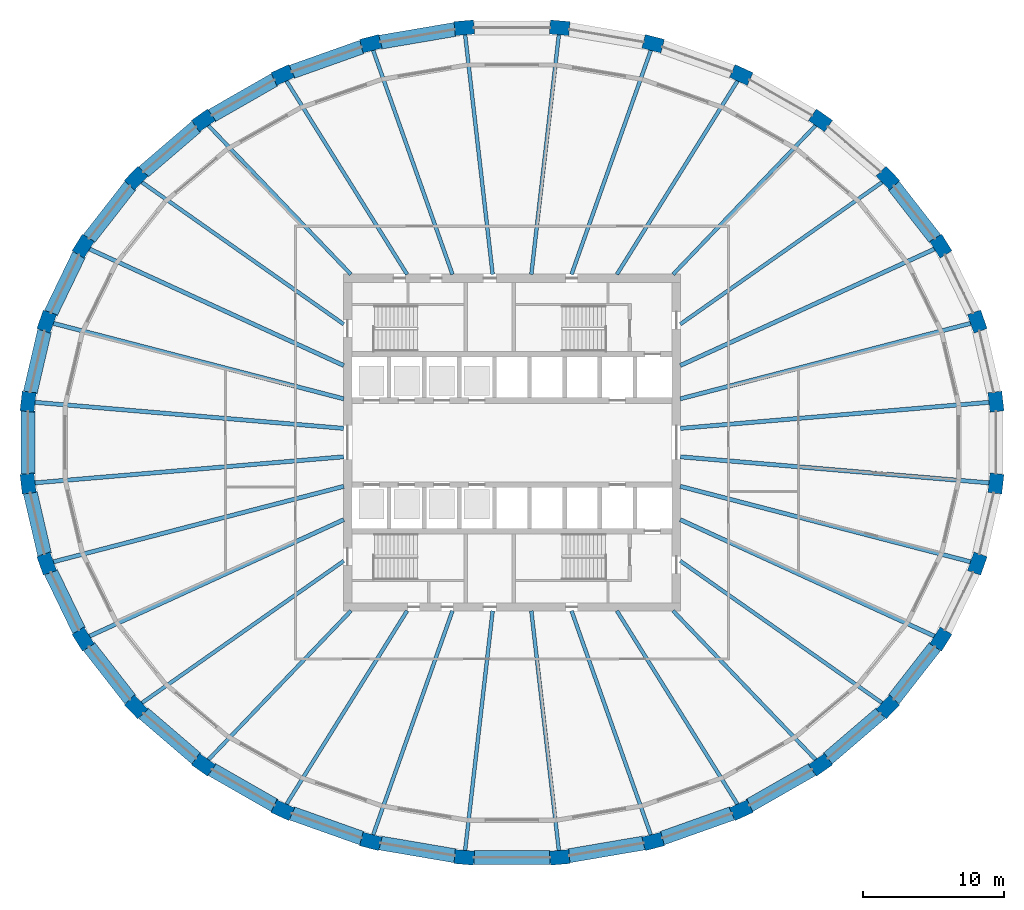
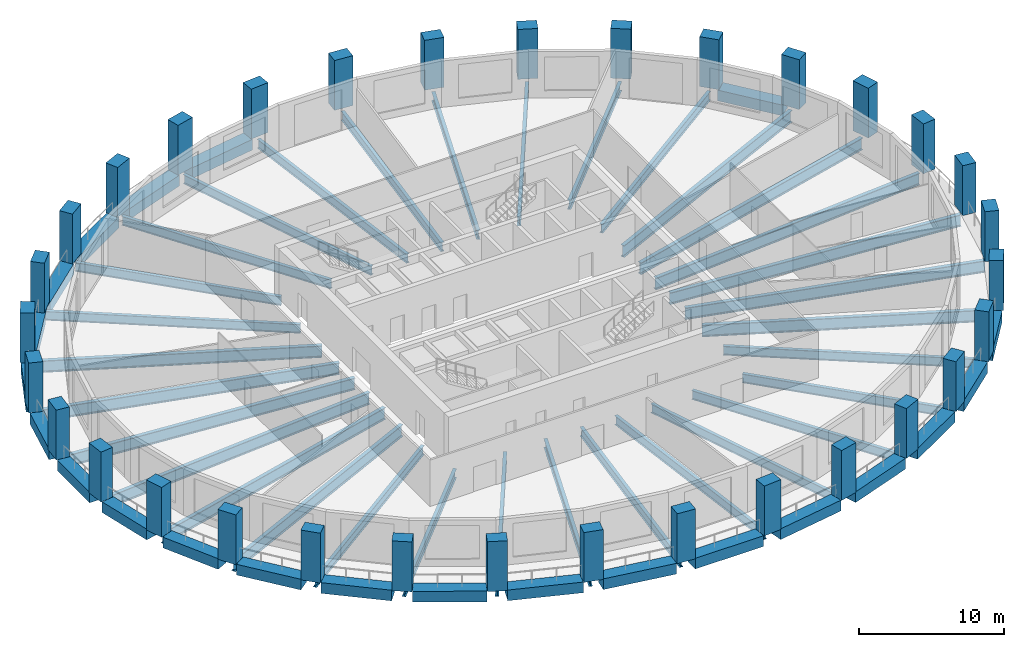
# One storey, part 1 of 10: 54 beams, 32 columns.
"""IFC4 building model written with IfcOpenShell, lengths in metres."""

import ifcopenshell
import ifcopenshell.guid

model = None  # the IFC model being written
_history = None  # IfcOwnerHistory: only IFC2X3 demands one
_inside = {}  # id of a spatial element -> (the spatial element, [elements in it])
_under = {}  # id of a project, library or spatial element -> (it, [spatial elements below it])
_declared = {}  # id of a project -> (the project, [libraries it declares])
_typed = {}  # id of a type object -> (the type object, [elements of that type])
_made_of = {}  # id of a material, layer set ... -> (it, [elements and type objects made of it])


def new_model(schema):
    """Start an empty IFC model of exactly this schema.

    Asked for "IFC4X3", IfcOpenShell would pick the latest addendum, in which some entities
    have other attributes; the version numbers below select the first issue.
    IFC2X3 requires an IfcOwnerHistory on every rooted entity: one is made here for all.
    """
    global model, _history
    if schema == "IFC4X3":
        model = ifcopenshell.file(schema_version=(4, 3, 0, 0))
    else:
        model = ifcopenshell.file(schema=schema)
    _inside.clear()
    _under.clear()
    _declared.clear()
    _typed.clear()
    _made_of.clear()
    _history = None
    if model.schema == "IFC2X3":
        org = make("IfcOrganization", Name="unknown")
        user = make(
            "IfcPersonAndOrganization",
            ThePerson=make("IfcPerson", FamilyName="unknown"),
            TheOrganization=org,
        )
        app = make(
            "IfcApplication",
            ApplicationDeveloper=org,
            Version="unknown",
            ApplicationFullName="unknown",
            ApplicationIdentifier="unknown",
        )
        _history = make(
            "IfcOwnerHistory",
            OwningUser=user,
            OwningApplication=app,
            ChangeAction="ADDED",
            CreationDate=0,
        )
    return model


def make(cls, **values):
    """One entity of the class cls with the attributes given. An attribute that is None is left unset."""
    return model.create_entity(
        cls, **{name: value for name, value in values.items() if value is not None}
    )


def rooted(cls, **values):
    """An entity with a GlobalId (a new one), such as an element, a storey or a relation."""
    return make(cls, GlobalId=ifcopenshell.guid.new(), OwnerHistory=_history, **values)


def si_unit(unit_type, name, prefix=None):
    """IfcSIUnit, for example si_unit("LENGTHUNIT", "METRE", prefix="MILLI")."""
    return make("IfcSIUnit", UnitType=unit_type, Prefix=prefix, Name=name)


def assignment(units):
    """IfcUnitAssignment: the units of a project."""
    return None if units is None else make("IfcUnitAssignment", Units=units)


def point(xyz):
    """IfcCartesianPoint."""
    return None if xyz is None else make("IfcCartesianPoint", Coordinates=xyz)


def direction(xyz):
    """IfcDirection."""
    return None if xyz is None else make("IfcDirection", DirectionRatios=xyz)


def frame(location, z_axis=None, x_axis=None):
    """IfcAxis2Placement3D, a coordinate frame: its origin and axes. An axis left out is left unset."""
    return make(
        "IfcAxis2Placement3D",
        Location=point(location),
        Axis=direction(z_axis),
        RefDirection=direction(x_axis),
    )


def frame_2d(location, x_axis=None):
    """IfcAxis2Placement2D, a coordinate frame in the plane: its origin and x axis."""
    return make(
        "IfcAxis2Placement2D", Location=point(location), RefDirection=direction(x_axis)
    )


def origin():
    """The frame at (0, 0, 0) with its axes left unset."""
    return frame((0.0, 0.0, 0.0))


def origin_2d():
    """The frame at (0, 0) in the plane with its x axis left unset."""
    return frame_2d((0.0, 0.0))


def place(relative_to, where):
    """IfcLocalPlacement: puts the frame where relative to a parent placement (None: the world)."""
    return make(
        "IfcLocalPlacement", PlacementRelTo=relative_to, RelativePlacement=where
    )


def context(
    kind, dimensions, precision=None, world=None, true_north=None, identifier=None
):
    """IfcGeometricRepresentationContext, for example the 3D "Model" context."""
    return make(
        "IfcGeometricRepresentationContext",
        ContextIdentifier=identifier,
        ContextType=kind,
        CoordinateSpaceDimension=dimensions,
        Precision=precision,
        WorldCoordinateSystem=world,
        TrueNorth=true_north,
    )


def subcontext(parent, identifier, kind, view, scale=None):
    """IfcGeometricRepresentationSubContext, for example "Body" below "Model"."""
    return make(
        "IfcGeometricRepresentationSubContext",
        ContextIdentifier=identifier,
        ContextType=kind,
        ParentContext=parent,
        TargetScale=scale,
        TargetView=view,
    )


def project(units=None, contexts=None):
    """IfcProject with its units and contexts."""
    return rooted(
        "IfcProject",
        Name="project",
        RepresentationContexts=contexts,
        UnitsInContext=assignment(units),
    )


def spatial(cls, under=None, at=None, **own):
    """A site, building, storey or space (cls), placed at a placement, below another one or the project."""
    s = rooted(cls, ObjectPlacement=at, **own)
    if under is not None:
        _under.setdefault(under.id(), (under, []))[1].append(s)
    return s


def profile(cls, at=None, kind="AREA", **sizes):
    """A parametric profile (cls). Its sizes go by their IFC names, for example OverallWidth=200.0."""
    return make(cls, ProfileType=kind, Position=at, **sizes)


def rectangle(**sizes):
    """IfcRectangleProfileDef."""
    return profile("IfcRectangleProfileDef", **sizes)


def i_section(**sizes):
    """IfcIShapeProfileDef."""
    return profile("IfcIShapeProfileDef", **sizes)


def extrude(swept, where, along, depth):
    """IfcExtrudedAreaSolid: the profile swept, set in the frame where, extruded along a direction by depth."""
    return make(
        "IfcExtrudedAreaSolid",
        SweptArea=swept,
        Position=where,
        ExtrudedDirection=direction(along),
        Depth=depth,
    )


def shape(context_of_items, identifier, shape_type, items):
    """IfcShapeRepresentation: the items that make up one representation, for example the "Body"."""
    return make(
        "IfcShapeRepresentation",
        ContextOfItems=context_of_items,
        RepresentationIdentifier=identifier,
        RepresentationType=shape_type,
        Items=items,
    )


def material(Name=None, Category=None):
    """IfcMaterial."""
    return make("IfcMaterial", Name=Name, Category=Category)


def material_profile(
    of_material, cross_section, Name=None, Category=None, Priority=None
):
    """IfcMaterialProfile: a cross section and its material."""
    return make(
        "IfcMaterialProfile",
        Name=Name,
        Material=of_material,
        Profile=cross_section,
        Priority=Priority,
        Category=Category,
    )


def profile_set(profiles, Name=None, composite=None):
    """IfcMaterialProfileSet."""
    return make(
        "IfcMaterialProfileSet",
        Name=Name,
        MaterialProfiles=profiles,
        CompositeProfile=composite,
    )


def made_of(thing, what):
    """Note that an element or type object is made of a material, layer set ...; save() writes the relation."""
    if what is not None:
        _made_of.setdefault(what.id(), (what, []))[1].append(thing)
    return thing


def type_object(cls, material=None, **own):
    """A type object (cls), such as IfcWallType, which elements share."""
    return made_of(rooted(cls, **own), material)


def element(
    cls,
    number,
    at=None,
    inside=None,
    cuts=None,
    type_object=None,
    material=None,
    context=None,
    identifier="Body",
    shape_type=None,
    held_by="IfcProductDefinitionShape",
    body=None,
    shapes=None,
    **own,
):
    """One element of the class cls, such as IfcWall. Its Tag is "e" and its number.

    at: its placement. inside: the storey or other place that contains it. cuts: it is an
    opening in that element (IfcRelVoidsElement). A single representation is given by context,
    identifier, shape_type and body (its items); several are given by shapes. held_by: the class
    of the entity that holds the representations. save() writes the other relations.
    """
    e = rooted(cls, Tag="e%d" % number, ObjectPlacement=at, **own)
    if body is not None:
        shapes = [shape(context, identifier, shape_type, body)]
    if shapes is not None:
        e.Representation = make(held_by, Representations=shapes)
    if inside is not None:
        _inside.setdefault(inside.id(), (inside, []))[1].append(e)
    if cuts is not None:
        rooted(
            "IfcRelVoidsElement", RelatingBuildingElement=cuts, RelatedOpeningElement=e
        )
    if type_object is not None:
        _typed.setdefault(type_object.id(), (type_object, []))[1].append(e)
    return made_of(e, material)


def aggregate(whole, parts):
    """IfcRelAggregates: a whole, such as a stair, and the parts it consists of."""
    return rooted("IfcRelAggregates", RelatingObject=whole, RelatedObjects=parts)


def save(model, path):
    """Write the relations noted so far, then the file.

    IfcRelAggregates (storeys below a building ...), IfcRelContainedInSpatialStructure (elements
    in a storey), IfcRelDefinesByType, IfcRelAssociatesMaterial and IfcRelDeclares: one each for
    every whole, place, type object, material and project.
    """
    for whole, parts in _under.values():
        aggregate(whole, parts)
    for where, things in _inside.values():
        rooted(
            "IfcRelContainedInSpatialStructure",
            RelatedElements=things,
            RelatingStructure=where,
        )
    for kind, things in _typed.values():
        rooted("IfcRelDefinesByType", RelatedObjects=things, RelatingType=kind)
    for what, things in _made_of.values():
        rooted("IfcRelAssociatesMaterial", RelatedObjects=things, RelatingMaterial=what)
    for by, libraries in _declared.values():
        rooted("IfcRelDeclares", RelatingContext=by, RelatedDefinitions=libraries)
    model.write(path)


model = new_model("IFC4")

# Units and contexts
model_context = context("Model", 3, precision=1e-05, world=origin(), true_north=direction((0.0, 1.0)))
body_context = subcontext(model_context, "Body", "Model", "MODEL_VIEW")
ifc_project = project(units=[si_unit("LENGTHUNIT", "METRE"), si_unit("AREAUNIT", "SQUARE_METRE"), si_unit("VOLUMEUNIT", "CUBIC_METRE"), si_unit("PLANEANGLEUNIT", "RADIAN"), si_unit("MASSUNIT", "GRAM", prefix="KILO")], contexts=[model_context])

# Site, building, storey
site_placement = place(None, origin())
site = spatial("IfcSite", under=ifc_project, at=site_placement, CompositionType="ELEMENT")
building_placement = place(site_placement, origin())
building = spatial("IfcBuilding", under=site, at=building_placement, Name="Halqa Exchange Tower", CompositionType="ELEMENT")
storey_placement = place(building_placement, frame((0.0, 0.0, 133.89990234375)))
storey = spatial("IfcBuildingStorey", under=building, at=storey_placement, Name="L30", CompositionType="ELEMENT", Elevation=133.89990234375)

# Columns
ifc_material_1 = material(Name="Concrete C70/85", Category="concrete")
ifc_material_profile_1 = material_profile(ifc_material_1, rectangle(XDim=1.39990234375, YDim=1.0, at=origin_2d()), Name="1400 x 1000")
ifc_profile_set_1 = profile_set([ifc_material_profile_1], Name="Concrete C70/85")
column_type = type_object("IfcColumnType", Name="RC ring column 1400 x 1000 C70/85", PredefinedType="COLUMN", material=ifc_profile_set_1)
for number, where, z_axis, x_axis, name in (
    (1, (34.438720703125, 2.907470703125, 0.0), (0.0, 0.0, 1.0), (-0.114158655897, 0.993462531394, 0.0), "Ring column 1"),
    (2, (33.115234375, 8.6103515625, 0.0), (0.0, 0.0, 1.0), (-0.33363575088, 0.942702066262, 0.0), "Ring column 2"),
    (3, (30.51904296875, 13.982421875, 0.0), (0.0, 0.0, 1.0), (-0.529137534311, 0.848536074533, 0.0), "Ring column 3"),
    (4, (26.750244140625, 18.817138671875, 0.0), (0.0, 0.0, 1.0), (-0.691571048649, 0.722308441505, 0.0), "Ring column 4"),
    (5, (21.953369140625, 22.9287109375, 0.0), (0.0, 0.0, 1.0), (-0.817909792189, 0.575346479819, 0.0), "Ring column 5"),
    (6, (16.312744140625, 26.1591796875, 0.0), (0.0, 0.0, 1.0), (-0.909126368869, 0.416520402174, 0.0), "Ring column 6"),
    (7, (10.04541015625, 28.384521484375, 0.0), (0.0, 0.0, 1.0), (-0.967819503571, 0.251645402317, 0.0), "Ring column 7"),
    (8, (3.391845703125, 29.518798828125, 0.0), (0.0, 0.0, 1.0), (-0.996455372165, 0.084123072248, 0.0), "Ring column 8"),
    (9, (-3.391845703125, 29.518798828125, 0.0), (0.0, 0.0, 1.0), (-0.996455372165, -0.084123072248, 0.0), "Ring column 9"),
    (10, (-10.04541015625, 28.384521484375, 0.0), (0.0, 0.0, 1.0), (-0.967819503571, -0.251645402317, 0.0), "Ring column 10"),
    (11, (-16.312744140625, 26.1591796875, 0.0), (0.0, 0.0, 1.0), (-0.909126368869, -0.416520402174, 0.0), "Ring column 11"),
    (12, (-21.953369140625, 22.9287109375, 0.0), (0.0, 0.0, 1.0), (-0.817909792189, -0.575346479819, 0.0), "Ring column 12"),
    (13, (-26.750244140625, 18.817138671875, 0.0), (0.0, 0.0, 1.0), (-0.691571048649, -0.722308441505, 0.0), "Ring column 13"),
    (14, (-30.51904296875, 13.982421875, 0.0), (0.0, 0.0, 1.0), (-0.529137534311, -0.848536074533, 0.0), "Ring column 14"),
    (15, (-33.115234375, 8.6103515625, 0.0), (0.0, 0.0, 1.0), (-0.33363575088, -0.942702066262, 0.0), "Ring column 15"),
    (16, (-34.438720703125, 2.907470703125, 0.0), (0.0, 0.0, 1.0), (-0.114158655897, -0.993462531394, 0.0), "Ring column 16"),
    (17, (-34.438720703125, -2.907470703125, 0.0), (0.0, 0.0, 1.0), (0.114158655897, -0.993462531394, 0.0), "Ring column 17"),
    (18, (-33.115234375, -8.6103515625, 0.0), (0.0, 0.0, 1.0), (0.33363575088, -0.942702066262, 0.0), "Ring column 18"),
    (19, (-30.51904296875, -13.982421875, 0.0), (0.0, 0.0, 1.0), (0.529137534311, -0.848536074533, 0.0), "Ring column 19"),
    (20, (-26.750244140625, -18.817138671875, 0.0), (0.0, 0.0, 1.0), (0.691571048649, -0.722308441505, 0.0), "Ring column 20"),
    (21, (-21.953369140625, -22.9287109375, 0.0), (0.0, 0.0, 1.0), (0.817909792189, -0.575346479819, 0.0), "Ring column 21"),
    (22, (-16.312744140625, -26.1591796875, 0.0), (0.0, 0.0, 1.0), (0.909126368869, -0.416520402174, 0.0), "Ring column 22"),
    (23, (-10.04541015625, -28.384521484375, 0.0), (0.0, 0.0, 1.0), (0.967819503571, -0.251645402317, 0.0), "Ring column 23"),
    (24, (-3.391845703125, -29.518798828125, 0.0), (0.0, 0.0, 1.0), (0.996455372165, -0.084123072248, 0.0), "Ring column 24"),
    (25, (3.391845703125, -29.518798828125, 0.0), (0.0, 0.0, 1.0), (0.996455372165, 0.084123072248, 0.0), "Ring column 25"),
    (26, (10.04541015625, -28.384521484375, 0.0), (0.0, 0.0, 1.0), (0.967819503571, 0.251645402317, 0.0), "Ring column 26"),
    (27, (16.312744140625, -26.1591796875, 0.0), (0.0, 0.0, 1.0), (0.909126368869, 0.416520402174, 0.0), "Ring column 27"),
    (28, (21.953369140625, -22.9287109375, 0.0), (0.0, 0.0, 1.0), (0.817909792189, 0.575346479819, 0.0), "Ring column 28"),
    (29, (26.750244140625, -18.817138671875, 0.0), (0.0, 0.0, 1.0), (0.691571048649, 0.722308441505, 0.0), "Ring column 29"),
    (30, (30.51904296875, -13.982421875, 0.0), (0.0, 0.0, 1.0), (0.529137534311, 0.848536074533, 0.0), "Ring column 30"),
    (31, (33.115234375, -8.6103515625, 0.0), (0.0, 0.0, 1.0), (0.33363575088, 0.942702066262, 0.0), "Ring column 31"),
    (32, (34.438720703125, -2.907470703125, 0.0), (0.0, 0.0, 1.0), (0.114158655897, 0.993462531394, 0.0), "Ring column 32"),
):
    element("IfcColumn", number, at=place(storey_placement, frame(where, z_axis=z_axis, x_axis=x_axis)), inside=storey, type_object=column_type, Name=name, PredefinedType="COLUMN", context=body_context, shape_type="SweptSolid", body=[
        extrude(rectangle(XDim=1.39990234375, YDim=1.0, at=origin_2d()), origin(), (0.0, 0.0, 1.0), 4.2001953125),
    ])

# Beams
ifc_material_2 = material(Name="Steel S355", Category="steel")
ifc_material_profile_2 = material_profile(ifc_material_2, i_section(OverallWidth=0.300048828125, OverallDepth=0.989990234375, WebThickness=0.0166015625, FlangeThickness=0.031005859375, FilletRadius=0.030029296875, at=origin_2d()), Name="HEA 1000")
ifc_profile_set_2 = profile_set([ifc_material_profile_2], Name="Steel S355")
beam_type_1 = type_object("IfcBeamType", Name="Floor beam HEA 1000", PredefinedType="BEAM", material=ifc_profile_set_2)
beam_1_placement = place(storey_placement, frame((11.972412109375, 1.0107421875, -0.794921875), z_axis=(0.996454963728, 0.084127910124, 0.0), x_axis=(-0.084127910124, 0.996454963728, 0.0)))
element("IfcBeam", 33, at=beam_1_placement, inside=storey, type_object=beam_type_1, Name="Radial beam 1", PredefinedType="BEAM", context=body_context, shape_type="SweptSolid", body=[
    extrude(i_section(OverallWidth=0.300048828125, OverallDepth=0.989990234375, WebThickness=0.0166015625, FlangeThickness=0.031005859375, FilletRadius=0.030029296875, at=origin_2d()), origin(), (0.0, 0.0, 1.0), 22.17431640625),
])
beam_2_placement = place(storey_placement, frame((11.97119140625, 3.112548828125, -0.794921875), z_axis=(0.967819682417, 0.251644714483, 0.0), x_axis=(-0.251644714483, 0.967819682417, 0.0)))
element("IfcBeam", 34, at=beam_2_placement, inside=storey, type_object=beam_type_1, Name="Radial beam 2", PredefinedType="BEAM", context=body_context, shape_type="SweptSolid", body=[
    extrude(i_section(OverallWidth=0.300048828125, OverallDepth=0.989990234375, WebThickness=0.0166015625, FlangeThickness=0.031005859375, FilletRadius=0.030029296875, at=origin_2d()), origin(), (0.0, 0.0, 1.0), 21.472900390625),
])
for number, where, z_axis, x_axis, name in (
    (35, (11.972412109375, 5.485107421875, -0.794921875), (0.909127347391, 0.416518266377, 0.0), (-0.416518266377, 0.909127347391, 0.0), "Radial beam 3"),
    (36, (-11.972412109375, 5.485107421875, -0.794921875), (-0.909127347391, 0.416518266377, 0.0), (-0.416518266377, -0.909127347391, 0.0), "Radial beam 14"),
):
    element("IfcBeam", number, at=place(storey_placement, frame(where, z_axis=z_axis, x_axis=x_axis)), inside=storey, type_object=beam_type_1, Name=name, PredefinedType="BEAM", context=body_context, shape_type="SweptSolid", body=[
        extrude(i_section(OverallWidth=0.300048828125, OverallDepth=0.989990234375, WebThickness=0.0166015625, FlangeThickness=0.031005859375, FilletRadius=0.030029296875, at=origin_2d()), origin(), (0.0, 0.0, 1.0), 20.0244140625),
    ])
beam_3_placement = place(storey_placement, frame((-11.97119140625, 3.112548828125, -0.794921875), z_axis=(-0.967819682417, 0.251644714483, 0.0), x_axis=(-0.251644714483, -0.967819682417, 0.0)))
element("IfcBeam", 37, at=beam_3_placement, inside=storey, type_object=beam_type_1, Name="Radial beam 15", PredefinedType="BEAM", context=body_context, shape_type="SweptSolid", body=[
    extrude(i_section(OverallWidth=0.300048828125, OverallDepth=0.989990234375, WebThickness=0.0166015625, FlangeThickness=0.031005859375, FilletRadius=0.030029296875, at=origin_2d()), origin(), (0.0, 0.0, 1.0), 21.472900390625),
])
for number, where, z_axis, x_axis, name in (
    (38, (-11.972412109375, 1.0107421875, -0.794921875), (-0.996454963728, 0.084127910124, 0.0), (-0.084127910124, -0.996454963728, 0.0), "Radial beam 16"),
    (39, (-11.972412109375, -1.0107421875, -0.794921875), (-0.996454963728, -0.084127910124, 0.0), (0.084127910124, -0.996454963728, 0.0), "Radial beam 17"),
):
    element("IfcBeam", number, at=place(storey_placement, frame(where, z_axis=z_axis, x_axis=x_axis)), inside=storey, type_object=beam_type_1, Name=name, PredefinedType="BEAM", context=body_context, shape_type="SweptSolid", body=[
        extrude(i_section(OverallWidth=0.300048828125, OverallDepth=0.989990234375, WebThickness=0.0166015625, FlangeThickness=0.031005859375, FilletRadius=0.030029296875, at=origin_2d()), origin(), (0.0, 0.0, 1.0), 22.17431640625),
    ])
beam_4_placement = place(storey_placement, frame((-11.97119140625, -3.112548828125, -0.794921875), z_axis=(-0.967819682417, -0.251644714483, 0.0), x_axis=(0.251644714483, -0.967819682417, 0.0)))
element("IfcBeam", 40, at=beam_4_placement, inside=storey, type_object=beam_type_1, Name="Radial beam 18", PredefinedType="BEAM", context=body_context, shape_type="SweptSolid", body=[
    extrude(i_section(OverallWidth=0.300048828125, OverallDepth=0.989990234375, WebThickness=0.0166015625, FlangeThickness=0.031005859375, FilletRadius=0.030029296875, at=origin_2d()), origin(), (0.0, 0.0, 1.0), 21.472900390625),
])
for number, where, z_axis, x_axis, name in (
    (41, (-11.972412109375, -5.485107421875, -0.794921875), (-0.909127347391, -0.416518266377, 0.0), (0.416518266377, -0.909127347391, 0.0), "Radial beam 19"),
    (42, (11.972412109375, -5.485107421875, -0.794921875), (0.909127347391, -0.416518266377, 0.0), (0.416518266377, 0.909127347391, 0.0), "Radial beam 30"),
):
    element("IfcBeam", number, at=place(storey_placement, frame(where, z_axis=z_axis, x_axis=x_axis)), inside=storey, type_object=beam_type_1, Name=name, PredefinedType="BEAM", context=body_context, shape_type="SweptSolid", body=[
        extrude(i_section(OverallWidth=0.300048828125, OverallDepth=0.989990234375, WebThickness=0.0166015625, FlangeThickness=0.031005859375, FilletRadius=0.030029296875, at=origin_2d()), origin(), (0.0, 0.0, 1.0), 20.0244140625),
    ])
beam_5_placement = place(storey_placement, frame((11.97119140625, -3.112548828125, -0.794921875), z_axis=(0.967819682417, -0.251644714483, 0.0), x_axis=(0.251644714483, 0.967819682417, 0.0)))
element("IfcBeam", 43, at=beam_5_placement, inside=storey, type_object=beam_type_1, Name="Radial beam 31", PredefinedType="BEAM", context=body_context, shape_type="SweptSolid", body=[
    extrude(i_section(OverallWidth=0.300048828125, OverallDepth=0.989990234375, WebThickness=0.0166015625, FlangeThickness=0.031005859375, FilletRadius=0.030029296875, at=origin_2d()), origin(), (0.0, 0.0, 1.0), 21.472900390625),
])
beam_6_placement = place(storey_placement, frame((11.972412109375, -1.0107421875, -0.794921875), z_axis=(0.996454963728, -0.084127910124, 0.0), x_axis=(0.084127910124, 0.996454963728, 0.0)))
element("IfcBeam", 44, at=beam_6_placement, inside=storey, type_object=beam_type_1, Name="Radial beam 32", PredefinedType="BEAM", context=body_context, shape_type="SweptSolid", body=[
    extrude(i_section(OverallWidth=0.300048828125, OverallDepth=0.989990234375, WebThickness=0.0166015625, FlangeThickness=0.031005859375, FilletRadius=0.030029296875, at=origin_2d()), origin(), (0.0, 0.0, 1.0), 22.17431640625),
])
ifc_material_profile_3 = material_profile(ifc_material_2, i_section(OverallWidth=0.264892578125, OverallDepth=0.7529296875, WebThickness=0.01318359375, FlangeThickness=0.01708984375, FilletRadius=0.01708984375, at=origin_2d()), Name="IPE 750x147")
ifc_profile_set_3 = profile_set([ifc_material_profile_3], Name="Steel S355")
beam_type_2 = type_object("IfcBeamType", Name="Floor beam IPE 750x147", PredefinedType="BEAM", material=ifc_profile_set_3)
beam_7_placement = place(storey_placement, frame((11.97216796875, 8.421630859375, -0.676513671875), z_axis=(0.817909837256, 0.575346415753, 0.0), x_axis=(-0.575346415753, 0.817909837256, 0.0)))
element("IfcBeam", 45, at=beam_7_placement, inside=storey, type_object=beam_type_2, Name="Radial beam 4", PredefinedType="BEAM", context=body_context, shape_type="SweptSolid", body=[
    extrude(i_section(OverallWidth=0.264892578125, OverallDepth=0.7529296875, WebThickness=0.01318359375, FlangeThickness=0.01708984375, FilletRadius=0.01708984375, at=origin_2d()), origin(), (0.0, 0.0, 1.0), 17.6923828125),
])
beam_8_placement = place(storey_placement, frame((11.462890625, 11.97216796875, -0.676513671875), z_axis=(0.691574796758, 0.722304852876, 0.0), x_axis=(-0.722304852876, 0.691574796758, 0.0)))
element("IfcBeam", 46, at=beam_8_placement, inside=storey, type_object=beam_type_2, Name="Radial beam 5", PredefinedType="BEAM", context=body_context, shape_type="SweptSolid", body=[
    extrude(i_section(OverallWidth=0.264892578125, OverallDepth=0.7529296875, WebThickness=0.01318359375, FlangeThickness=0.01708984375, FilletRadius=0.01708984375, at=origin_2d()), origin(), (0.0, 0.0, 1.0), 14.79296875),
])
beam_9_placement = place(storey_placement, frame((7.4658203125, 11.972412109375, -0.676513671875), z_axis=(0.529140645794, 0.848534134239, 0.0), x_axis=(-0.848534134239, 0.529140645794, 0.0)))
element("IfcBeam", 47, at=beam_9_placement, inside=storey, type_object=beam_type_2, Name="Radial beam 6", PredefinedType="BEAM", context=body_context, shape_type="SweptSolid", body=[
    extrude(i_section(OverallWidth=0.264892578125, OverallDepth=0.7529296875, WebThickness=0.01318359375, FlangeThickness=0.01708984375, FilletRadius=0.01708984375, at=origin_2d()), origin(), (0.0, 0.0, 1.0), 16.343505859375),
])
beam_10_placement = place(storey_placement, frame((4.23681640625, 11.9716796875, -0.676513671875), z_axis=(0.333628809797, 0.942704522782, 0.0), x_axis=(-0.942704522782, 0.333628809797, 0.0)))
element("IfcBeam", 48, at=beam_10_placement, inside=storey, type_object=beam_type_2, Name="Radial beam 7", PredefinedType="BEAM", context=body_context, shape_type="SweptSolid", body=[
    extrude(i_section(OverallWidth=0.264892578125, OverallDepth=0.7529296875, WebThickness=0.01318359375, FlangeThickness=0.01708984375, FilletRadius=0.01708984375, at=origin_2d()), origin(), (0.0, 0.0, 1.0), 17.036376953125),
])
for number, where, z_axis, x_axis, name in (
    (49, (1.375732421875, 11.972900390625, -0.676513671875), (0.114151906381, 0.993463306957, 0.0), (-0.993463306957, 0.114151906381, 0.0), "Radial beam 8"),
    (50, (-1.375732421875, 11.972900390625, -0.676513671875), (-0.114151906381, 0.993463306957, 0.0), (-0.993463306957, -0.114151906381, 0.0), "Radial beam 9"),
):
    element("IfcBeam", number, at=place(storey_placement, frame(where, z_axis=z_axis, x_axis=x_axis)), inside=storey, type_object=beam_type_2, Name=name, PredefinedType="BEAM", context=body_context, shape_type="SweptSolid", body=[
        extrude(i_section(OverallWidth=0.264892578125, OverallDepth=0.7529296875, WebThickness=0.01318359375, FlangeThickness=0.01708984375, FilletRadius=0.01708984375, at=origin_2d()), origin(), (0.0, 0.0, 1.0), 17.28955078125),
    ])
beam_11_placement = place(storey_placement, frame((-4.23681640625, 11.9716796875, -0.676513671875), z_axis=(-0.333628809797, 0.942704522782, 0.0), x_axis=(-0.942704522782, -0.333628809797, 0.0)))
element("IfcBeam", 51, at=beam_11_placement, inside=storey, type_object=beam_type_2, Name="Radial beam 10", PredefinedType="BEAM", context=body_context, shape_type="SweptSolid", body=[
    extrude(i_section(OverallWidth=0.264892578125, OverallDepth=0.7529296875, WebThickness=0.01318359375, FlangeThickness=0.01708984375, FilletRadius=0.01708984375, at=origin_2d()), origin(), (0.0, 0.0, 1.0), 17.036376953125),
])
beam_12_placement = place(storey_placement, frame((-7.4658203125, 11.972412109375, -0.676513671875), z_axis=(-0.529140645794, 0.848534134239, 0.0), x_axis=(-0.848534134239, -0.529140645794, 0.0)))
element("IfcBeam", 52, at=beam_12_placement, inside=storey, type_object=beam_type_2, Name="Radial beam 11", PredefinedType="BEAM", context=body_context, shape_type="SweptSolid", body=[
    extrude(i_section(OverallWidth=0.264892578125, OverallDepth=0.7529296875, WebThickness=0.01318359375, FlangeThickness=0.01708984375, FilletRadius=0.01708984375, at=origin_2d()), origin(), (0.0, 0.0, 1.0), 16.343505859375),
])
beam_13_placement = place(storey_placement, frame((-11.462890625, 11.97216796875, -0.676513671875), z_axis=(-0.691574796758, 0.722304852876, 0.0), x_axis=(-0.722304852876, -0.691574796758, 0.0)))
element("IfcBeam", 53, at=beam_13_placement, inside=storey, type_object=beam_type_2, Name="Radial beam 12", PredefinedType="BEAM", context=body_context, shape_type="SweptSolid", body=[
    extrude(i_section(OverallWidth=0.264892578125, OverallDepth=0.7529296875, WebThickness=0.01318359375, FlangeThickness=0.01708984375, FilletRadius=0.01708984375, at=origin_2d()), origin(), (0.0, 0.0, 1.0), 14.79296875),
])
for number, where, z_axis, x_axis, name in (
    (54, (-11.97216796875, 8.421630859375, -0.676513671875), (-0.817909837256, 0.575346415753, 0.0), (-0.575346415753, -0.817909837256, 0.0), "Radial beam 13"),
    (55, (-11.97216796875, -8.421630859375, -0.676513671875), (-0.817909837256, -0.575346415753, 0.0), (0.575346415753, -0.817909837256, 0.0), "Radial beam 20"),
):
    element("IfcBeam", number, at=place(storey_placement, frame(where, z_axis=z_axis, x_axis=x_axis)), inside=storey, type_object=beam_type_2, Name=name, PredefinedType="BEAM", context=body_context, shape_type="SweptSolid", body=[
        extrude(i_section(OverallWidth=0.264892578125, OverallDepth=0.7529296875, WebThickness=0.01318359375, FlangeThickness=0.01708984375, FilletRadius=0.01708984375, at=origin_2d()), origin(), (0.0, 0.0, 1.0), 17.6923828125),
    ])
beam_14_placement = place(storey_placement, frame((-11.462890625, -11.97216796875, -0.676513671875), z_axis=(-0.691574796758, -0.722304852876, 0.0), x_axis=(0.722304852876, -0.691574796758, 0.0)))
element("IfcBeam", 56, at=beam_14_placement, inside=storey, type_object=beam_type_2, Name="Radial beam 21", PredefinedType="BEAM", context=body_context, shape_type="SweptSolid", body=[
    extrude(i_section(OverallWidth=0.264892578125, OverallDepth=0.7529296875, WebThickness=0.01318359375, FlangeThickness=0.01708984375, FilletRadius=0.01708984375, at=origin_2d()), origin(), (0.0, 0.0, 1.0), 14.79296875),
])
beam_15_placement = place(storey_placement, frame((-7.4658203125, -11.972412109375, -0.676513671875), z_axis=(-0.529140645794, -0.848534134239, 0.0), x_axis=(0.848534134239, -0.529140645794, 0.0)))
element("IfcBeam", 57, at=beam_15_placement, inside=storey, type_object=beam_type_2, Name="Radial beam 22", PredefinedType="BEAM", context=body_context, shape_type="SweptSolid", body=[
    extrude(i_section(OverallWidth=0.264892578125, OverallDepth=0.7529296875, WebThickness=0.01318359375, FlangeThickness=0.01708984375, FilletRadius=0.01708984375, at=origin_2d()), origin(), (0.0, 0.0, 1.0), 16.343505859375),
])
beam_16_placement = place(storey_placement, frame((-4.23681640625, -11.9716796875, -0.676513671875), z_axis=(-0.333628809797, -0.942704522782, 0.0), x_axis=(0.942704522782, -0.333628809797, 0.0)))
element("IfcBeam", 58, at=beam_16_placement, inside=storey, type_object=beam_type_2, Name="Radial beam 23", PredefinedType="BEAM", context=body_context, shape_type="SweptSolid", body=[
    extrude(i_section(OverallWidth=0.264892578125, OverallDepth=0.7529296875, WebThickness=0.01318359375, FlangeThickness=0.01708984375, FilletRadius=0.01708984375, at=origin_2d()), origin(), (0.0, 0.0, 1.0), 17.036376953125),
])
for number, where, z_axis, x_axis, name in (
    (59, (-1.375732421875, -11.972900390625, -0.676513671875), (-0.114151906381, -0.993463306957, 0.0), (0.993463306957, -0.114151906381, 0.0), "Radial beam 24"),
    (60, (1.375732421875, -11.972900390625, -0.676513671875), (0.114151906381, -0.993463306957, 0.0), (0.993463306957, 0.114151906381, 0.0), "Radial beam 25"),
):
    element("IfcBeam", number, at=place(storey_placement, frame(where, z_axis=z_axis, x_axis=x_axis)), inside=storey, type_object=beam_type_2, Name=name, PredefinedType="BEAM", context=body_context, shape_type="SweptSolid", body=[
        extrude(i_section(OverallWidth=0.264892578125, OverallDepth=0.7529296875, WebThickness=0.01318359375, FlangeThickness=0.01708984375, FilletRadius=0.01708984375, at=origin_2d()), origin(), (0.0, 0.0, 1.0), 17.28955078125),
    ])
beam_17_placement = place(storey_placement, frame((4.23681640625, -11.9716796875, -0.676513671875), z_axis=(0.333628809797, -0.942704522782, 0.0), x_axis=(0.942704522782, 0.333628809797, 0.0)))
element("IfcBeam", 61, at=beam_17_placement, inside=storey, type_object=beam_type_2, Name="Radial beam 26", PredefinedType="BEAM", context=body_context, shape_type="SweptSolid", body=[
    extrude(i_section(OverallWidth=0.264892578125, OverallDepth=0.7529296875, WebThickness=0.01318359375, FlangeThickness=0.01708984375, FilletRadius=0.01708984375, at=origin_2d()), origin(), (0.0, 0.0, 1.0), 17.036376953125),
])
beam_18_placement = place(storey_placement, frame((7.4658203125, -11.972412109375, -0.676513671875), z_axis=(0.529140645794, -0.848534134239, 0.0), x_axis=(0.848534134239, 0.529140645794, 0.0)))
element("IfcBeam", 62, at=beam_18_placement, inside=storey, type_object=beam_type_2, Name="Radial beam 27", PredefinedType="BEAM", context=body_context, shape_type="SweptSolid", body=[
    extrude(i_section(OverallWidth=0.264892578125, OverallDepth=0.7529296875, WebThickness=0.01318359375, FlangeThickness=0.01708984375, FilletRadius=0.01708984375, at=origin_2d()), origin(), (0.0, 0.0, 1.0), 16.343505859375),
])
beam_19_placement = place(storey_placement, frame((11.462890625, -11.97216796875, -0.676513671875), z_axis=(0.691574796758, -0.722304852876, 0.0), x_axis=(0.722304852876, 0.691574796758, 0.0)))
element("IfcBeam", 63, at=beam_19_placement, inside=storey, type_object=beam_type_2, Name="Radial beam 28", PredefinedType="BEAM", context=body_context, shape_type="SweptSolid", body=[
    extrude(i_section(OverallWidth=0.264892578125, OverallDepth=0.7529296875, WebThickness=0.01318359375, FlangeThickness=0.01708984375, FilletRadius=0.01708984375, at=origin_2d()), origin(), (0.0, 0.0, 1.0), 14.79296875),
])
beam_20_placement = place(storey_placement, frame((11.97216796875, -8.421630859375, -0.676513671875), z_axis=(0.817909837256, -0.575346415753, 0.0), x_axis=(0.575346415753, 0.817909837256, 0.0)))
element("IfcBeam", 64, at=beam_20_placement, inside=storey, type_object=beam_type_2, Name="Radial beam 29", PredefinedType="BEAM", context=body_context, shape_type="SweptSolid", body=[
    extrude(i_section(OverallWidth=0.264892578125, OverallDepth=0.7529296875, WebThickness=0.01318359375, FlangeThickness=0.01708984375, FilletRadius=0.01708984375, at=origin_2d()), origin(), (0.0, 0.0, 1.0), 17.6923828125),
])
ifc_material_3 = material(Name="Concrete C60/75", Category="concrete")
ifc_material_profile_4 = material_profile(ifc_material_3, rectangle(XDim=1.0, YDim=0.89990234375, at=origin_2d()), Name="1000 x 900")
ifc_profile_set_4 = profile_set([ifc_material_profile_4], Name="Concrete C60/75")
beam_type_3 = type_object("IfcBeamType", Name="RC spandrel beam 1000 x 900 C60/75", PredefinedType="SPANDREL", material=ifc_profile_set_4)
beam_21_placement = place(storey_placement, frame((30.103515625, 14.515380859375, -0.449951171875), z_axis=(-0.614778344406, 0.78869993486, 0.0), x_axis=(-0.78869993486, -0.614778344406, 0.0)))
element("IfcBeam", 65, at=beam_21_placement, inside=storey, type_object=beam_type_3, Name="Spandrel 3", PredefinedType="SPANDREL", context=body_context, shape_type="SweptSolid", body=[
    extrude(rectangle(XDim=1.0, YDim=0.89990234375, at=origin_2d()), origin(), (0.0, 0.0, 1.0), 4.77978515625),
])
beam_22_placement = place(storey_placement, frame((-4.0576171875, 29.405517578125, -0.449951171875), z_axis=(-0.985773716271, -0.168077899527, 0.0), x_axis=(0.168077899527, -0.985773716271, 0.0)))
element("IfcBeam", 66, at=beam_22_placement, inside=storey, type_object=beam_type_3, Name="Spandrel 9", PredefinedType="SPANDREL", context=body_context, shape_type="SweptSolid", body=[
    extrude(rectangle(XDim=1.0, YDim=0.89990234375, at=origin_2d()), origin(), (0.0, 0.0, 1.0), 5.400634765625),
])
beam_23_placement = place(storey_placement, frame((-10.680908203125, 28.158935546875, -0.449951171875), z_axis=(-0.9423560926, -0.334611707415, 0.0), x_axis=(0.334611707415, -0.9423560926, 0.0)))
element("IfcBeam", 67, at=beam_23_placement, inside=storey, type_object=beam_type_3, Name="Spandrel 10", PredefinedType="SPANDREL", context=body_context, shape_type="SweptSolid", body=[
    extrude(rectangle(XDim=1.0, YDim=0.89990234375, at=origin_2d()), origin(), (0.0, 0.0, 1.0), 5.301513671875),
])
beam_24_placement = place(storey_placement, frame((-16.897705078125, 25.824462890625, -0.449951171875), z_axis=(-0.867738128513, -0.497021669874, 0.0), x_axis=(0.497021669874, -0.867738128513, 0.0)))
element("IfcBeam", 68, at=beam_24_placement, inside=storey, type_object=beam_type_3, Name="Spandrel 11", PredefinedType="SPANDREL", context=body_context, shape_type="SweptSolid", body=[
    extrude(rectangle(XDim=1.0, YDim=0.89990234375, at=origin_2d()), origin(), (0.0, 0.0, 1.0), 5.1513671875),
])
beam_25_placement = place(storey_placement, frame((-22.465087890625, 22.489990234375, -0.449951171875), z_axis=(-0.759270476271, -0.650775186884, 0.0), x_axis=(0.650775186884, -0.759270476271, 0.0)))
element("IfcBeam", 69, at=beam_25_placement, inside=storey, type_object=beam_type_3, Name="Spandrel 12", PredefinedType="SPANDREL", context=body_context, shape_type="SweptSolid", body=[
    extrude(rectangle(XDim=1.0, YDim=0.89990234375, at=origin_2d()), origin(), (0.0, 0.0, 1.0), 4.968505859375),
])
beam_26_placement = place(storey_placement, frame((-27.1650390625, 18.28515625, -0.449951171875), z_axis=(-0.614778344406, -0.78869993486, 0.0), x_axis=(0.78869993486, -0.614778344406, 0.0)))
element("IfcBeam", 70, at=beam_26_placement, inside=storey, type_object=beam_type_3, Name="Spandrel 13", PredefinedType="SPANDREL", context=body_context, shape_type="SweptSolid", body=[
    extrude(rectangle(XDim=1.0, YDim=0.89990234375, at=origin_2d()), origin(), (0.0, 0.0, 1.0), 4.77978515625),
])
beam_27_placement = place(storey_placement, frame((-30.812744140625, 13.37451171875, -0.449951171875), z_axis=(-0.435133641471, -0.900365877885, 0.0), x_axis=(0.900365877885, -0.435133641471, 0.0)))
element("IfcBeam", 71, at=beam_27_placement, inside=storey, type_object=beam_type_3, Name="Spandrel 14", PredefinedType="SPANDREL", context=body_context, shape_type="SweptSolid", body=[
    extrude(rectangle(XDim=1.0, YDim=0.89990234375, at=origin_2d()), origin(), (0.0, 0.0, 1.0), 4.615478515625),
])
beam_28_placement = place(storey_placement, frame((-33.268310546875, 7.95068359375, -0.449951171875), z_axis=(-0.226051594905, -0.974115330154, 0.0), x_axis=(0.974115330154, -0.226051594905, 0.0)))
element("IfcBeam", 72, at=beam_28_placement, inside=storey, type_object=beam_type_3, Name="Spandrel 15", PredefinedType="SPANDREL", context=body_context, shape_type="SweptSolid", body=[
    extrude(rectangle(XDim=1.0, YDim=0.89990234375, at=origin_2d()), origin(), (0.0, 0.0, 1.0), 4.50146484375),
])
beam_29_placement = place(storey_placement, frame((-34.438720703125, 2.2314453125, -0.449951171875), z_axis=(0.0, -1.0, 0.0), x_axis=(1.0, 0.0, 0.0)))
element("IfcBeam", 73, at=beam_29_placement, inside=storey, type_object=beam_type_3, Name="Spandrel 16", PredefinedType="SPANDREL", context=body_context, shape_type="SweptSolid", body=[
    extrude(rectangle(XDim=1.0, YDim=0.89990234375, at=origin_2d()), origin(), (0.0, 0.0, 1.0), 4.462890625),
])
beam_30_placement = place(storey_placement, frame((-34.285888671875, -3.565673828125, -0.449951171875), z_axis=(0.226051594905, -0.974115330154, 0.0), x_axis=(0.974115330154, 0.226051594905, 0.0)))
element("IfcBeam", 74, at=beam_30_placement, inside=storey, type_object=beam_type_3, Name="Spandrel 17", PredefinedType="SPANDREL", context=body_context, shape_type="SweptSolid", body=[
    extrude(rectangle(XDim=1.0, YDim=0.89990234375, at=origin_2d()), origin(), (0.0, 0.0, 1.0), 4.50146484375),
])
beam_31_placement = place(storey_placement, frame((-32.821044921875, -9.218994140625, -0.449951171875), z_axis=(0.435133641471, -0.900365877885, 0.0), x_axis=(0.900365877885, 0.435133641471, 0.0)))
element("IfcBeam", 75, at=beam_31_placement, inside=storey, type_object=beam_type_3, Name="Spandrel 18", PredefinedType="SPANDREL", context=body_context, shape_type="SweptSolid", body=[
    extrude(rectangle(XDim=1.0, YDim=0.89990234375, at=origin_2d()), origin(), (0.0, 0.0, 1.0), 4.615478515625),
])
beam_32_placement = place(storey_placement, frame((-30.103515625, -14.515380859375, -0.449951171875), z_axis=(0.614778344406, -0.78869993486, 0.0), x_axis=(0.78869993486, 0.614778344406, 0.0)))
element("IfcBeam", 76, at=beam_32_placement, inside=storey, type_object=beam_type_3, Name="Spandrel 19", PredefinedType="SPANDREL", context=body_context, shape_type="SweptSolid", body=[
    extrude(rectangle(XDim=1.0, YDim=0.89990234375, at=origin_2d()), origin(), (0.0, 0.0, 1.0), 4.77978515625),
])
beam_33_placement = place(storey_placement, frame((-26.237548828125, -19.256591796875, -0.449951171875), z_axis=(0.759270476271, -0.650775186884, 0.0), x_axis=(0.650775186884, 0.759270476271, 0.0)))
element("IfcBeam", 77, at=beam_33_placement, inside=storey, type_object=beam_type_3, Name="Spandrel 20", PredefinedType="SPANDREL", context=body_context, shape_type="SweptSolid", body=[
    extrude(rectangle(XDim=1.0, YDim=0.89990234375, at=origin_2d()), origin(), (0.0, 0.0, 1.0), 4.968505859375),
])
beam_34_placement = place(storey_placement, frame((-21.36767578125, -23.26416015625, -0.449951171875), z_axis=(0.867738128513, -0.497021669874, 0.0), x_axis=(0.497021669874, 0.867738128513, 0.0)))
element("IfcBeam", 78, at=beam_34_placement, inside=storey, type_object=beam_type_3, Name="Spandrel 21", PredefinedType="SPANDREL", context=body_context, shape_type="SweptSolid", body=[
    extrude(rectangle(XDim=1.0, YDim=0.89990234375, at=origin_2d()), origin(), (0.0, 0.0, 1.0), 5.1513671875),
])
beam_35_placement = place(storey_placement, frame((-15.6767578125, -26.385009765625, -0.449951171875), z_axis=(0.9423560926, -0.334611707415, 0.0), x_axis=(0.334611707415, 0.9423560926, 0.0)))
element("IfcBeam", 79, at=beam_35_placement, inside=storey, type_object=beam_type_3, Name="Spandrel 22", PredefinedType="SPANDREL", context=body_context, shape_type="SweptSolid", body=[
    extrude(rectangle(XDim=1.0, YDim=0.89990234375, at=origin_2d()), origin(), (0.0, 0.0, 1.0), 5.301513671875),
])
beam_36_placement = place(storey_placement, frame((-9.38134765625, -28.497802734375, -0.449951171875), z_axis=(0.985773716271, -0.168077899527, 0.0), x_axis=(0.168077899527, 0.985773716271, 0.0)))
element("IfcBeam", 80, at=beam_36_placement, inside=storey, type_object=beam_type_3, Name="Spandrel 23", PredefinedType="SPANDREL", context=body_context, shape_type="SweptSolid", body=[
    extrude(rectangle(XDim=1.0, YDim=0.89990234375, at=origin_2d()), origin(), (0.0, 0.0, 1.0), 5.400634765625),
])
beam_37_placement = place(storey_placement, frame((-2.716796875, -29.518798828125, -0.449951171875), z_axis=(1.0, 0.0, 0.0), x_axis=(0.0, 1.0, 0.0)))
element("IfcBeam", 81, at=beam_37_placement, inside=storey, type_object=beam_type_3, Name="Spandrel 24", PredefinedType="SPANDREL", context=body_context, shape_type="SweptSolid", body=[
    extrude(rectangle(XDim=1.0, YDim=0.89990234375, at=origin_2d()), origin(), (0.0, 0.0, 1.0), 5.43359375),
])
beam_38_placement = place(storey_placement, frame((4.0576171875, -29.405517578125, -0.449951171875), z_axis=(0.985773716271, 0.168077899527, 0.0), x_axis=(-0.168077899527, 0.985773716271, 0.0)))
element("IfcBeam", 82, at=beam_38_placement, inside=storey, type_object=beam_type_3, Name="Spandrel 25", PredefinedType="SPANDREL", context=body_context, shape_type="SweptSolid", body=[
    extrude(rectangle(XDim=1.0, YDim=0.89990234375, at=origin_2d()), origin(), (0.0, 0.0, 1.0), 5.400634765625),
])
beam_39_placement = place(storey_placement, frame((10.680908203125, -28.158935546875, -0.449951171875), z_axis=(0.9423560926, 0.334611707415, 0.0), x_axis=(-0.334611707415, 0.9423560926, 0.0)))
element("IfcBeam", 83, at=beam_39_placement, inside=storey, type_object=beam_type_3, Name="Spandrel 26", PredefinedType="SPANDREL", context=body_context, shape_type="SweptSolid", body=[
    extrude(rectangle(XDim=1.0, YDim=0.89990234375, at=origin_2d()), origin(), (0.0, 0.0, 1.0), 5.301513671875),
])
beam_40_placement = place(storey_placement, frame((16.897705078125, -25.824462890625, -0.449951171875), z_axis=(0.867738128513, 0.497021669874, 0.0), x_axis=(-0.497021669874, 0.867738128513, 0.0)))
element("IfcBeam", 84, at=beam_40_placement, inside=storey, type_object=beam_type_3, Name="Spandrel 27", PredefinedType="SPANDREL", context=body_context, shape_type="SweptSolid", body=[
    extrude(rectangle(XDim=1.0, YDim=0.89990234375, at=origin_2d()), origin(), (0.0, 0.0, 1.0), 5.1513671875),
])
beam_41_placement = place(storey_placement, frame((22.465087890625, -22.489990234375, -0.449951171875), z_axis=(0.759270476271, 0.650775186884, 0.0), x_axis=(-0.650775186884, 0.759270476271, 0.0)))
element("IfcBeam", 85, at=beam_41_placement, inside=storey, type_object=beam_type_3, Name="Spandrel 28", PredefinedType="SPANDREL", context=body_context, shape_type="SweptSolid", body=[
    extrude(rectangle(XDim=1.0, YDim=0.89990234375, at=origin_2d()), origin(), (0.0, 0.0, 1.0), 4.968505859375),
])
beam_42_placement = place(storey_placement, frame((27.1650390625, -18.28515625, -0.449951171875), z_axis=(0.614778344406, 0.78869993486, 0.0), x_axis=(-0.78869993486, 0.614778344406, 0.0)))
element("IfcBeam", 86, at=beam_42_placement, inside=storey, type_object=beam_type_3, Name="Spandrel 29", PredefinedType="SPANDREL", context=body_context, shape_type="SweptSolid", body=[
    extrude(rectangle(XDim=1.0, YDim=0.89990234375, at=origin_2d()), origin(), (0.0, 0.0, 1.0), 4.77978515625),
])

save(model, "model.ifc")
